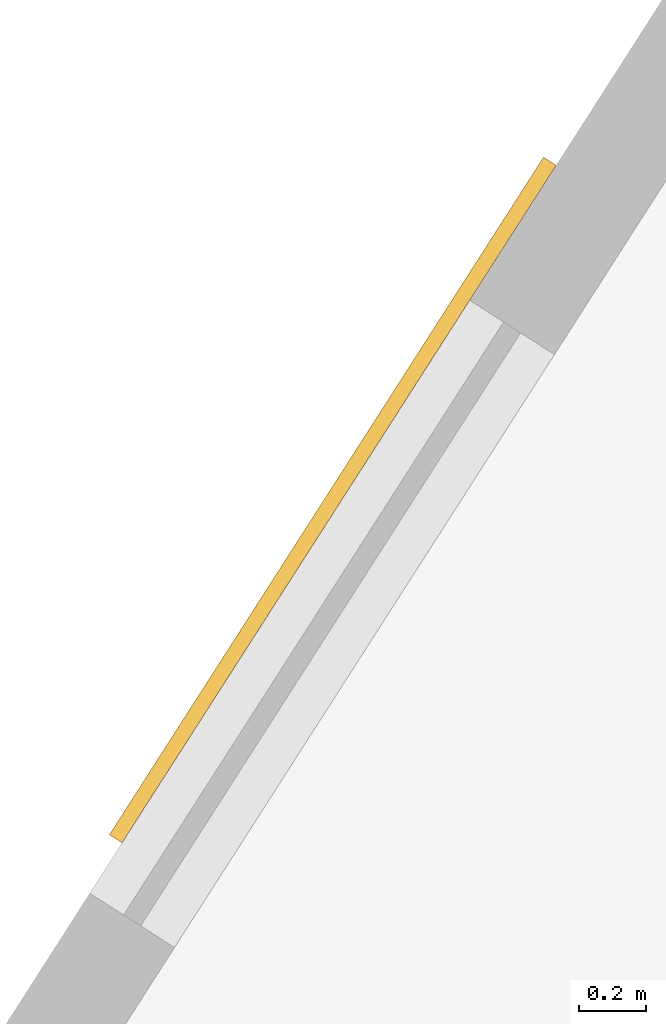
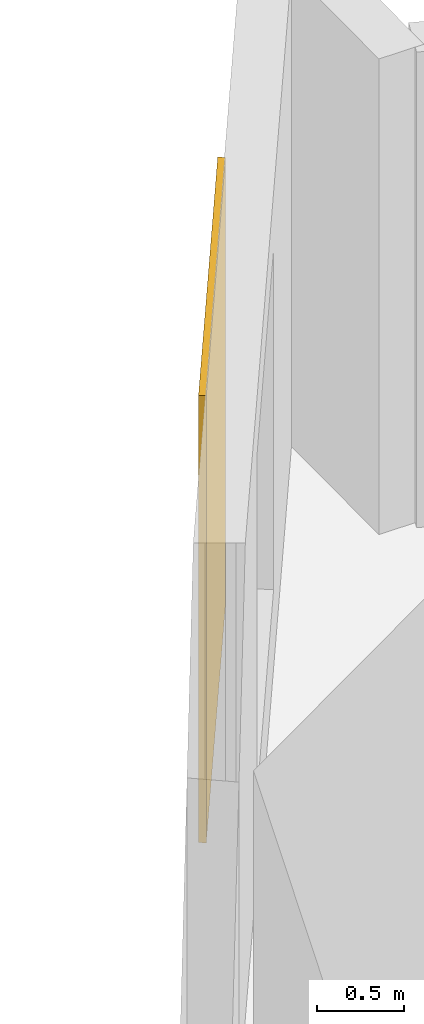
# One storey, part 14 of 14: 1 covering.
"""IFC4 building model written with IfcOpenShell, lengths in metres."""

from ifc_helpers import new_model, si_unit, direction, frame, origin, origin_2d, place, context, subcontext, project, spatial, rectangle, extrude, material, layer, layer_set, type_object, element, save


model = new_model("IFC4")

# Units and contexts
model_context = context("Model", 3, precision=1e-05, world=origin(), true_north=direction((0.0, 1.0)))
body_context = subcontext(model_context, "Body", "Model", "MODEL_VIEW")
ifc_project = project(units=[si_unit("LENGTHUNIT", "METRE"), si_unit("AREAUNIT", "SQUARE_METRE"), si_unit("VOLUMEUNIT", "CUBIC_METRE"), si_unit("PLANEANGLEUNIT", "RADIAN"), si_unit("MASSUNIT", "GRAM", prefix="KILO")], contexts=[model_context])

# Site, building, storey
site_placement = place(None, origin())
site = spatial("IfcSite", under=ifc_project, at=site_placement, CompositionType="ELEMENT")
building_placement = place(site_placement, origin())
building = spatial("IfcBuilding", under=site, at=building_placement, Name="Almagre Mirador Tower", CompositionType="ELEMENT")
storey_placement = place(building_placement, frame((0.0, 0.0, 60.60009765625)))
storey = spatial("IfcBuildingStorey", under=building, at=storey_placement, Name="L14", CompositionType="ELEMENT", Elevation=60.60009765625)

# Covering
ifc_material = material(Name="Almagre terracotta architectural cladding", Category="masonry")
ifc_layer = layer(ifc_material, 0.044921875)
ifc_layer_set = layer_set([ifc_layer], Name="Almagre terracotta architectural cladding")
covering_type = type_object("IfcCoveringType", Name="COV-CLAD-ALMAGRE", PredefinedType="CLADDING", material=ifc_layer_set)
covering_placement = place(storey_placement, frame((31.481201171875, 42.198974609375, 0.099853515625), z_axis=(0.0, 0.0, 1.0), x_axis=(0.539505758171, 0.841981910079, 0.0)))
element("IfcCovering", 1, at=covering_placement, inside=storey, type_object=covering_type, Name="L14 almagre terracotta pier cladding", PredefinedType="CLADDING", context=body_context, shape_type="SweptSolid", body=[
    extrude(rectangle(XDim=2.39990234375, YDim=0.044921875, at=origin_2d()), origin(), (0.0, 0.0, 1.0), 3.14990234375),
])

save(model, "model.ifc")
